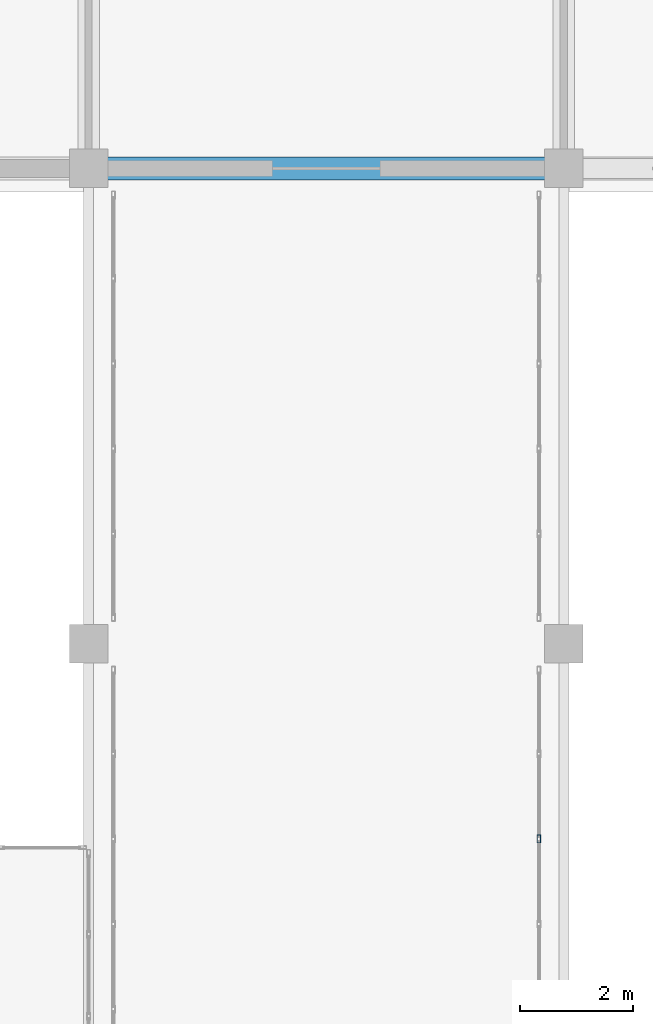
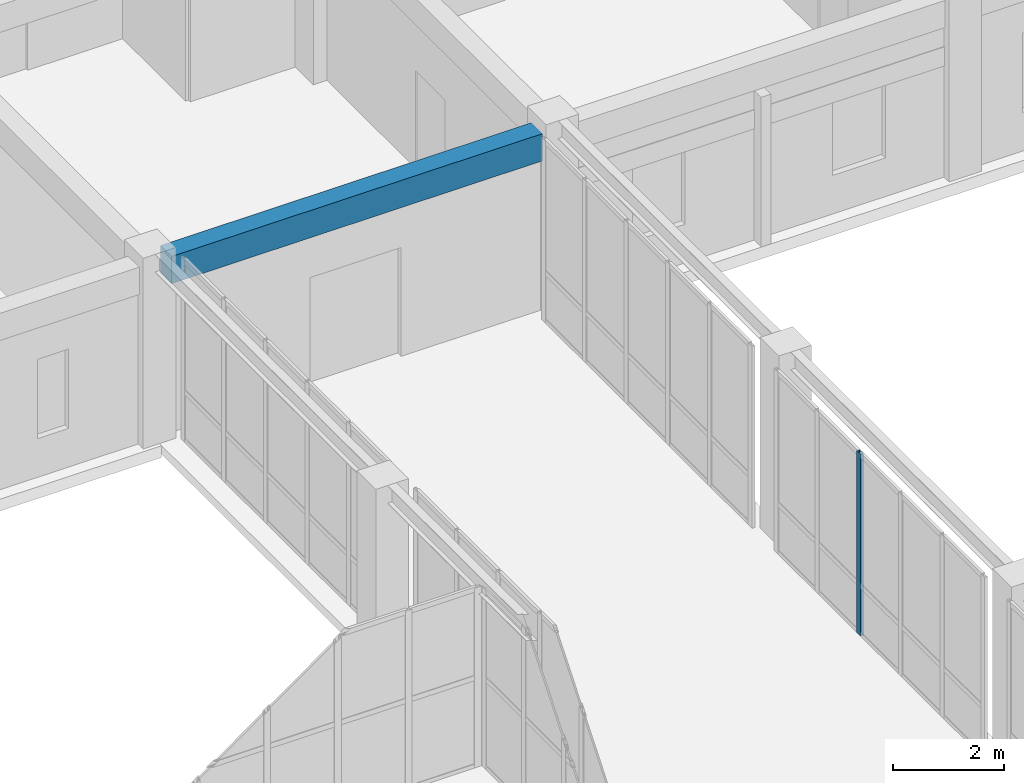
# One storey, part 66 of 140: 1 beam, 1 member, 1 element without a shape of its own.
"""IFC4 building model written with IfcOpenShell, lengths in metres."""

from ifc_helpers import new_model, si_unit, direction, frame, origin, origin_2d, place, context, subcontext, project, spatial, rectangle, hollow_rectangle, extrude, material, layer, layer_set, material_profile, profile_set, type_object, element, aggregate, save


model = new_model("IFC4")

# Units and contexts
model_context = context("Model", 3, precision=1e-05, world=origin(), true_north=direction((0.0, 1.0)))
body_context = subcontext(model_context, "Body", "Model", "MODEL_VIEW")
ifc_project = project(units=[si_unit("LENGTHUNIT", "METRE"), si_unit("AREAUNIT", "SQUARE_METRE"), si_unit("VOLUMEUNIT", "CUBIC_METRE"), si_unit("PLANEANGLEUNIT", "RADIAN"), si_unit("MASSUNIT", "GRAM", prefix="KILO")], contexts=[model_context])

# Site, building, storey
site_placement = place(None, origin())
site = spatial("IfcSite", under=ifc_project, at=site_placement, CompositionType="ELEMENT")
building_placement = place(site_placement, origin())
building = spatial("IfcBuilding", under=site, at=building_placement, Name="Trelvath General Hospital", CompositionType="ELEMENT")
storey_placement = place(building_placement, frame((0.0, 0.0, 16.199951171875)))
storey = spatial("IfcBuildingStorey", under=building, at=storey_placement, Name="L04", CompositionType="ELEMENT", Elevation=16.199951171875)

# Beam
ifc_material_1 = material(Name="Concrete C35/45", Category="concrete")
ifc_material_profile_1 = material_profile(ifc_material_1, rectangle(XDim=0.39990234375, YDim=0.60009765625, at=origin_2d()), Name="RCB400x600")
ifc_profile_set_1 = profile_set([ifc_material_profile_1], Name="Concrete C35/45")
beam_type = type_object("IfcBeamType", Name="Beam RC400x600", PredefinedType="BEAM", material=ifc_profile_set_1)
beam_placement = place(storey_placement, frame((75.93505859375, 92.39990234375, 3.6201171875), z_axis=(1.0, 0.0, 0.0), x_axis=(0.0, 1.0, 0.0)))
element("IfcBeam", 1, at=beam_placement, inside=storey, type_object=beam_type, Name="Grid Beam BX-409L", PredefinedType="BEAM", context=body_context, shape_type="SweptSolid", body=[
    extrude(rectangle(XDim=0.39990234375, YDim=0.60009765625, at=origin_2d()), origin(), (0.0, 0.0, 1.0), 7.72998046875),
])

# Curtain wall, member
ifc_material_2 = material(Name="Anodised aluminium and low-E glass", Category="aluminium")
ifc_layer = layer(ifc_material_2, 0.139892578125)
ifc_layer_set = layer_set([ifc_layer], Name="Anodised aluminium and low-E glass")
curtain_wall_type = type_object("IfcCurtainWallType", Name="CW Bridge 752 401", PredefinedType="USERDEFINED", material=ifc_layer_set)
curtain_wall_placement = place(storey_placement, origin())
curtain_wall = element("IfcCurtainWall", 2, at=curtain_wall_placement, inside=storey, type_object=curtain_wall_type, Name="Glazed Bridge Curtain Wall BRG-N-C E L04", ObjectType="Unitised Glazed Curtain Wall", PredefinedType="USERDEFINED")
ifc_material_3 = material(Name="Anodised aluminium", Category="aluminium")
ifc_material_profile_2 = material_profile(ifc_material_3, hollow_rectangle(XDim=0.06005859375, YDim=0.139892578125, WallThickness=0.00390625, at=origin_2d()), Name="RHS60x140x4")
ifc_profile_set_2 = profile_set([ifc_material_profile_2], Name="Anodised aluminium")
member_type = type_object("IfcMemberType", Name="CurtainMullion 60x140", PredefinedType="MULLION", material=ifc_profile_set_2)
member_placement = place(storey_placement, frame((83.56005859375, 80.552001953125, 0.0), z_axis=(0.0, 0.0, 1.0), x_axis=(1.0, 0.0, 0.0)))
member = element("IfcMember", 3, at=member_placement, type_object=member_type, Name="CW-299 mullion 3", PredefinedType="MULLION", context=body_context, shape_type="SweptSolid", body=[
    extrude(hollow_rectangle(XDim=0.06005859375, YDim=0.139892578125, WallThickness=0.00390625, at=origin_2d()), origin(), (0.0, 0.0, 1.0), 4.010009765625),
])
aggregate(curtain_wall, [member])

save(model, "model.ifc")
